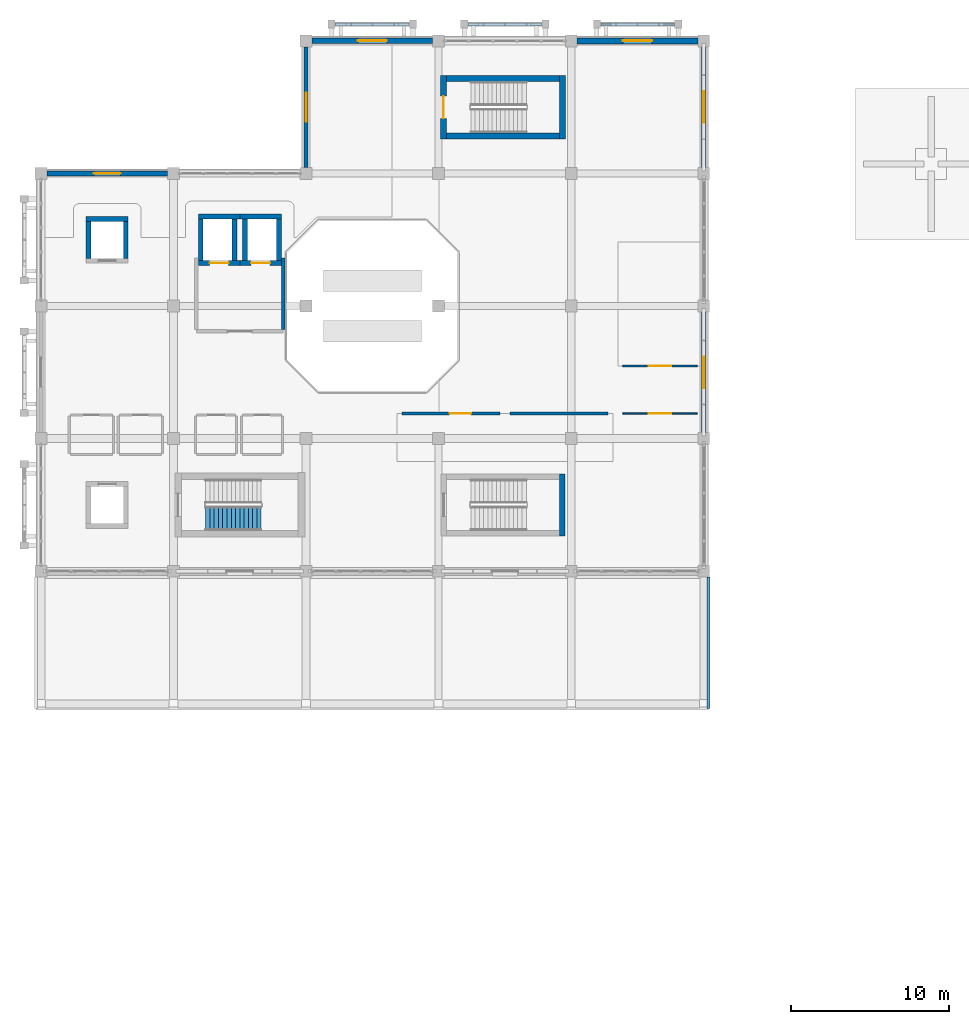
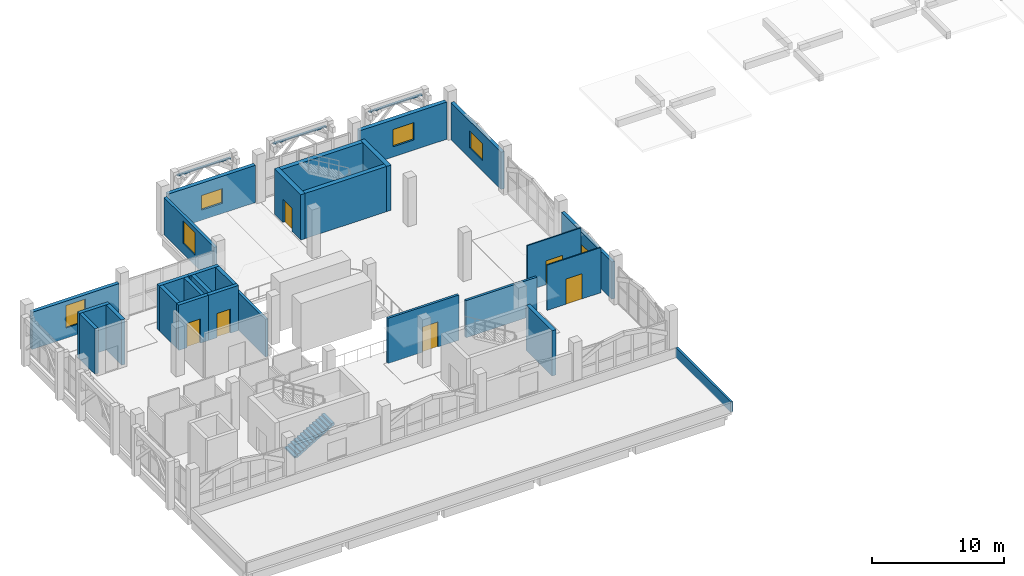
# One storey, part 24 of 30: 31 walls, 6 doors, 6 windows, 1 stair flight, 12 openings, 1 element without a shape of its own.
"""IFC4 building model written with IfcOpenShell, lengths in metres."""

from ifc_helpers import new_model, si_unit, direction, frame, frame_2d, origin, place, context, subcontext, project, spatial, polyline, rectangle, outline, extrude, material, layer, layer_set, type_object, element, fill, aggregate, save


model = new_model("IFC4")

# Units and contexts
model_context = context("Model", 3, precision=1e-05, world=origin(), true_north=direction((0.0, 1.0)))
body_context = subcontext(model_context, "Body", "Model", "MODEL_VIEW")
ifc_project = project(units=[si_unit("LENGTHUNIT", "METRE"), si_unit("AREAUNIT", "SQUARE_METRE"), si_unit("VOLUMEUNIT", "CUBIC_METRE"), si_unit("PLANEANGLEUNIT", "RADIAN"), si_unit("MASSUNIT", "GRAM", prefix="KILO")], contexts=[model_context])

# Site, building, storey
site_placement = place(None, origin())
site = spatial("IfcSite", under=ifc_project, at=site_placement, CompositionType="ELEMENT")
building_placement = place(site_placement, origin())
building = spatial("IfcBuilding", under=site, at=building_placement, Name="Xazarin Passage Department Store", CompositionType="ELEMENT")
storey_placement = place(building_placement, frame((0.0, 0.0, 23.39990234375)))
storey = spatial("IfcBuildingStorey", under=building, at=storey_placement, Name="L05", CompositionType="ELEMENT", Elevation=23.39990234375)

# Wall, opening, window
ifc_material_1 = material(Name="Precast concrete C40/50", Category="concrete")
ifc_layer_1 = layer(ifc_material_1, 0.260009765625)
ifc_layer_set_1 = layer_set([ifc_layer_1], Name="Precast concrete C40/50")
wall_type_1 = type_object("IfcWallType", Name="ARC-W-EXT260", PredefinedType="SOLIDWALL", material=ifc_layer_set_1)
wall_1_placement = place(storey_placement, frame((16.800048828125, 101.97509765625, 0.0), z_axis=(0.0, 0.0, 1.0), x_axis=(0.0, 1.0, 0.0)))
wall_1 = element("IfcWall", 1, at=wall_1_placement, inside=storey, type_object=wall_type_1, Name="L05 V1 Exterior Wall 066", PredefinedType="SOLIDWALL", context=body_context, shape_type="SweptSolid", body=[
    extrude(rectangle(XDim=7.64990234375, YDim=0.260009765625, at=frame_2d((3.824951171875, 0.0))), origin(), (0.0, 0.0, 1.0), 3.4501953125),
])
opening_1_placement = place(wall_1_placement, frame((2.89990234375, 0.0, 0.949951171875)))
opening_1 = element("IfcOpeningElement", 2, at=opening_1_placement, cuts=wall_1, Name="Opening W28", PredefinedType="OPENING", context=body_context, shape_type="SweptSolid", body=[
    extrude(rectangle(XDim=1.85009765625, YDim=2.10009765625, at=frame_2d((0.925048828125, 1.050048828125))), frame((0.0, 0.139892578125, 0.0), z_axis=(0.0, -1.0, 0.0), x_axis=(1.0, 0.0, 0.0)), (0.0, 0.0, 1.0), 0.280029296875),
])
ifc_material_2 = material(Name="Low-E laminated safety glass", Category="glass")
window_type_1 = type_object("IfcWindowType", Name="ARC-WIN-W28", PartitioningType="DOUBLE_PANEL_VERTICAL", PredefinedType="WINDOW", material=ifc_material_2)
window_1_placement = place(opening_1_placement, origin())
window_1 = element("IfcWindow", 3, at=window_1_placement, inside=storey, type_object=window_type_1, Name="L05 V1 Facade Window 0028", OverallHeight=2.10009765625, OverallWidth=1.85009765625, PartitioningType="DOUBLE_PANEL_VERTICAL", PredefinedType="WINDOW", context=body_context, shape_type="SweptSolid", body=[
    extrude(rectangle(XDim=1.85009765625, YDim=2.10009765625, at=frame_2d((0.925048828125, 1.050048828125))), frame((0.0, 0.030029296875, 0.0), z_axis=(0.0, -1.0, 0.0), x_axis=(1.0, 0.0, 0.0)), (0.0, 0.0, 1.0), 0.06005859375),
])
fill(opening_1, window_1)

ifc_layer_2 = layer(ifc_material_1, 0.280029296875)
ifc_layer_set_2 = layer_set([ifc_layer_2], Name="Precast concrete C40/50")
wall_type_2 = type_object("IfcWallType", Name="ARC-W-EXT280", PredefinedType="SOLIDWALL", material=ifc_layer_set_2)
wall_2_placement = place(storey_placement, frame((42.0, 85.175048828125, 0.0), z_axis=(0.0, 0.0, 1.0), x_axis=(0.0, 1.0, 0.0)))
wall_2 = element("IfcWall", 4, at=wall_2_placement, inside=storey, type_object=wall_type_2, Name="L05 V1 Exterior Wall 067", PredefinedType="SOLIDWALL", context=body_context, shape_type="SweptSolid", body=[
    extrude(rectangle(XDim=7.64990234375, YDim=0.280029296875, at=frame_2d((3.824951171875, 0.0))), origin(), (0.0, 0.0, 1.0), 3.4501953125),
])
opening_2_placement = place(wall_2_placement, frame((2.824951171875, 0.0, 0.949951171875)))
opening_2 = element("IfcOpeningElement", 5, at=opening_2_placement, cuts=wall_2, Name="Opening W29", PredefinedType="OPENING", context=body_context, shape_type="SweptSolid", body=[
    extrude(rectangle(XDim=2.0, YDim=1.35009765625, at=frame_2d((1.0, 0.675048828125))), frame((0.0, 0.14990234375, 0.0), z_axis=(0.0, -1.0, 0.0), x_axis=(1.0, 0.0, 0.0)), (0.0, 0.0, 1.0), 0.300048828125),
])
window_type_2 = type_object("IfcWindowType", Name="ARC-WIN-W29", PartitioningType="DOUBLE_PANEL_VERTICAL", PredefinedType="WINDOW", material=ifc_material_2)
window_2_placement = place(opening_2_placement, origin())
window_2 = element("IfcWindow", 6, at=window_2_placement, inside=storey, type_object=window_type_2, Name="L05 V1 Facade Window 0029", OverallHeight=1.35009765625, OverallWidth=2.0, PartitioningType="DOUBLE_PANEL_VERTICAL", PredefinedType="WINDOW", context=body_context, shape_type="SweptSolid", body=[
    extrude(rectangle(XDim=2.0, YDim=1.35009765625, at=frame_2d((1.0, 0.675048828125))), frame((0.0, 0.030029296875, 0.0), z_axis=(0.0, -1.0, 0.0), x_axis=(1.0, 0.0, 0.0)), (0.0, 0.0, 1.0), 0.06005859375),
])
fill(opening_2, window_2)

ifc_layer_3 = layer(ifc_material_1, 0.300048828125)
ifc_layer_set_3 = layer_set([ifc_layer_3], Name="Precast concrete C40/50")
wall_type_3 = type_object("IfcWallType", Name="ARC-W-EXT300", PredefinedType="SOLIDWALL", material=ifc_layer_set_3)
wall_3_placement = place(storey_placement, frame((42.0, 101.97509765625, 0.0), z_axis=(0.0, 0.0, 1.0), x_axis=(0.0, 1.0, 0.0)))
wall_3 = element("IfcWall", 7, at=wall_3_placement, inside=storey, type_object=wall_type_3, Name="L05 V1 Exterior Wall 068", PredefinedType="SOLIDWALL", context=body_context, shape_type="SweptSolid", body=[
    extrude(rectangle(XDim=7.64990234375, YDim=0.300048828125, at=frame_2d((3.824951171875, 0.0))), origin(), (0.0, 0.0, 1.0), 3.4501953125),
])
opening_3_placement = place(wall_3_placement, frame((2.824951171875, 0.0, 0.949951171875)))
opening_3 = element("IfcOpeningElement", 8, at=opening_3_placement, cuts=wall_3, Name="Opening W30", PredefinedType="OPENING", context=body_context, shape_type="SweptSolid", body=[
    extrude(rectangle(XDim=2.0, YDim=1.60009765625, at=frame_2d((1.0, 0.800048828125))), frame((0.0, 0.159912109375, 0.0), z_axis=(0.0, -1.0, 0.0), x_axis=(1.0, 0.0, 0.0)), (0.0, 0.0, 1.0), 0.320068359375),
])
window_type_3 = type_object("IfcWindowType", Name="ARC-WIN-W30", PartitioningType="DOUBLE_PANEL_VERTICAL", PredefinedType="WINDOW", material=ifc_material_2)
window_3_placement = place(opening_3_placement, origin())
window_3 = element("IfcWindow", 9, at=window_3_placement, inside=storey, type_object=window_type_3, Name="L05 V1 Facade Window 0030", OverallHeight=1.60009765625, OverallWidth=2.0, PartitioningType="DOUBLE_PANEL_VERTICAL", PredefinedType="WINDOW", context=body_context, shape_type="SweptSolid", body=[
    extrude(rectangle(XDim=2.0, YDim=1.60009765625, at=frame_2d((1.0, 0.800048828125))), frame((0.0, 0.030029296875, 0.0), z_axis=(0.0, -1.0, 0.0), x_axis=(1.0, 0.0, 0.0)), (0.0, 0.0, 1.0), 0.06005859375),
])
fill(opening_3, window_3)

ifc_material_3 = material(Name="Buff Baku clay brick", Category="masonry")
ifc_layer_4 = layer(ifc_material_3, 0.320068359375)
ifc_layer_set_4 = layer_set([ifc_layer_4], Name="Buff Baku clay brick")
wall_type_4 = type_object("IfcWallType", Name="ARC-W-EXT320", PredefinedType="SOLIDWALL", material=ifc_layer_set_4)
wall_4_placement = place(storey_placement, frame((0.375, 101.60009765625, 0.0), z_axis=(0.0, 0.0, 1.0), x_axis=(1.0, 0.0, 0.0)))
wall_4 = element("IfcWall", 10, at=wall_4_placement, inside=storey, type_object=wall_type_4, Name="L05 V1 Exterior Wall 062", PredefinedType="SOLIDWALL", context=body_context, shape_type="SweptSolid", body=[
    extrude(rectangle(XDim=7.64990234375, YDim=0.320068359375, at=frame_2d((3.824951171875, 0.0))), origin(), (0.0, 0.0, 1.0), 3.4501953125),
])
opening_4_placement = place(wall_4_placement, frame((2.97509765625, 0.0, 0.949951171875)))
opening_4 = element("IfcOpeningElement", 11, at=opening_4_placement, cuts=wall_4, Name="Opening W24", PredefinedType="OPENING", context=body_context, shape_type="SweptSolid", body=[
    extrude(rectangle(XDim=1.699951171875, YDim=2.10009765625, at=frame_2d((0.85009765625, 1.050048828125))), frame((0.0, 0.169921875, 0.0), z_axis=(0.0, -1.0, 0.0), x_axis=(1.0, 0.0, 0.0)), (0.0, 0.0, 1.0), 0.340087890625),
])
window_type_4 = type_object("IfcWindowType", Name="ARC-WIN-W24", PartitioningType="DOUBLE_PANEL_VERTICAL", PredefinedType="WINDOW", material=ifc_material_2)
window_4_placement = place(opening_4_placement, origin())
window_4 = element("IfcWindow", 12, at=window_4_placement, inside=storey, type_object=window_type_4, Name="L05 V1 Facade Window 0024", OverallHeight=2.10009765625, OverallWidth=1.699951171875, PartitioningType="DOUBLE_PANEL_VERTICAL", PredefinedType="WINDOW", context=body_context, shape_type="SweptSolid", body=[
    extrude(rectangle(XDim=1.699951171875, YDim=2.10009765625, at=frame_2d((0.85009765625, 1.050048828125))), frame((0.0, 0.030029296875, 0.0), z_axis=(0.0, -1.0, 0.0), x_axis=(1.0, 0.0, 0.0)), (0.0, 0.0, 1.0), 0.06005859375),
])
fill(opening_4, window_4)

ifc_material_4 = material(Name="Absheron limestone cladding", Category="masonry")
ifc_layer_5 = layer(ifc_material_4, 0.340087890625)
ifc_layer_set_5 = layer_set([ifc_layer_5], Name="Absheron limestone cladding")
wall_type_5 = type_object("IfcWallType", Name="ARC-W-EXT340", PredefinedType="SOLIDWALL", material=ifc_layer_set_5)
wall_5_placement = place(storey_placement, frame((17.175048828125, 110.0, 0.0), z_axis=(0.0, 0.0, 1.0), x_axis=(1.0, 0.0, 0.0)))
wall_5 = element("IfcWall", 13, at=wall_5_placement, inside=storey, type_object=wall_type_5, Name="L05 V1 Exterior Wall 063", PredefinedType="SOLIDWALL", context=body_context, shape_type="SweptSolid", body=[
    extrude(rectangle(XDim=7.64990234375, YDim=0.340087890625, at=frame_2d((3.824951171875, 0.0))), origin(), (0.0, 0.0, 1.0), 3.4501953125),
])
opening_5_placement = place(wall_5_placement, frame((2.89990234375, 0.0, 0.949951171875)))
opening_5 = element("IfcOpeningElement", 14, at=opening_5_placement, cuts=wall_5, Name="Opening W25", PredefinedType="OPENING", context=body_context, shape_type="SweptSolid", body=[
    extrude(rectangle(XDim=1.85009765625, YDim=1.35009765625, at=frame_2d((0.925048828125, 0.675048828125))), frame((0.0, 0.179931640625, 0.0), z_axis=(0.0, -1.0, 0.0), x_axis=(1.0, 0.0, 0.0)), (0.0, 0.0, 1.0), 0.360107421875),
])
window_type_5 = type_object("IfcWindowType", Name="ARC-WIN-W25", PartitioningType="DOUBLE_PANEL_VERTICAL", PredefinedType="WINDOW", material=ifc_material_2)
window_5_placement = place(opening_5_placement, origin())
window_5 = element("IfcWindow", 15, at=window_5_placement, inside=storey, type_object=window_type_5, Name="L05 V1 Facade Window 0025", OverallHeight=1.35009765625, OverallWidth=1.85009765625, PartitioningType="DOUBLE_PANEL_VERTICAL", PredefinedType="WINDOW", context=body_context, shape_type="SweptSolid", body=[
    extrude(rectangle(XDim=1.85009765625, YDim=1.35009765625, at=frame_2d((0.925048828125, 0.675048828125))), frame((0.0, 0.030029296875, 0.0), z_axis=(0.0, -1.0, 0.0), x_axis=(1.0, 0.0, 0.0)), (0.0, 0.0, 1.0), 0.06005859375),
])
fill(opening_5, window_5)

ifc_layer_6 = layer(ifc_material_4, 0.360107421875)
ifc_layer_set_6 = layer_set([ifc_layer_6], Name="Absheron limestone cladding")
wall_type_6 = type_object("IfcWallType", Name="ARC-W-EXT360", PredefinedType="SOLIDWALL", material=ifc_layer_set_6)
wall_6_placement = place(storey_placement, frame((33.97509765625, 110.0, 0.0), z_axis=(0.0, 0.0, 1.0), x_axis=(1.0, 0.0, 0.0)))
wall_6 = element("IfcWall", 16, at=wall_6_placement, inside=storey, type_object=wall_type_6, Name="L05 V1 Exterior Wall 064", PredefinedType="SOLIDWALL", context=body_context, shape_type="SweptSolid", body=[
    extrude(rectangle(XDim=7.64990234375, YDim=0.360107421875, at=frame_2d((3.824951171875, 0.0))), origin(), (0.0, 0.0, 1.0), 3.4501953125),
])
opening_6_placement = place(wall_6_placement, frame((2.89990234375, 0.0, 0.949951171875)))
opening_6 = element("IfcOpeningElement", 17, at=opening_6_placement, cuts=wall_6, Name="Opening W26", PredefinedType="OPENING", context=body_context, shape_type="SweptSolid", body=[
    extrude(rectangle(XDim=1.85009765625, YDim=1.60009765625, at=frame_2d((0.925048828125, 0.800048828125))), frame((0.0, 0.18994140625, 0.0), z_axis=(0.0, -1.0, 0.0), x_axis=(1.0, 0.0, 0.0)), (0.0, 0.0, 1.0), 0.380126953125),
])
window_type_6 = type_object("IfcWindowType", Name="ARC-WIN-W26", PartitioningType="DOUBLE_PANEL_VERTICAL", PredefinedType="WINDOW", material=ifc_material_2)
window_6_placement = place(opening_6_placement, origin())
window_6 = element("IfcWindow", 18, at=window_6_placement, inside=storey, type_object=window_type_6, Name="L05 V1 Facade Window 0026", OverallHeight=1.60009765625, OverallWidth=1.85009765625, PartitioningType="DOUBLE_PANEL_VERTICAL", PredefinedType="WINDOW", context=body_context, shape_type="SweptSolid", body=[
    extrude(rectangle(XDim=1.85009765625, YDim=1.60009765625, at=frame_2d((0.925048828125, 0.800048828125))), frame((0.0, 0.030029296875, 0.0), z_axis=(0.0, -1.0, 0.0), x_axis=(1.0, 0.0, 0.0)), (0.0, 0.0, 1.0), 0.06005859375),
])
fill(opening_6, window_6)

# Wall, opening, door
ifc_layer_7 = layer(ifc_material_3, 0.205078125)
ifc_layer_set_7 = layer_set([ifc_layer_7], Name="Buff Baku clay brick")
wall_type_7 = type_object("IfcWallType", Name="ARC-W-FIR205", PredefinedType="PARTITIONING", material=ifc_layer_set_7)
wall_7_placement = place(storey_placement, frame((22.8701171875, 86.39990234375, 0.0), z_axis=(0.0, 0.0, 1.0), x_axis=(1.0, 0.0, 0.0)))
wall_7 = element("IfcWall", 19, at=wall_7_placement, inside=storey, type_object=wall_type_7, Name="L05 Bookshop and Stationery Front Wall 0268", PredefinedType="PARTITIONING", context=body_context, shape_type="SweptSolid", body=[
    extrude(rectangle(XDim=6.2099609375, YDim=0.205078125, at=frame_2d((3.10498046875, 0.0))), origin(), (0.0, 0.0, 1.0), 4.2001953125),
])
opening_7_placement = place(wall_7_placement, frame((3.02490234375, 0.0, 0.0)))
opening_7 = element("IfcOpeningElement", 20, at=opening_7_placement, cuts=wall_7, Name="Opening ID33", PredefinedType="OPENING", context=body_context, shape_type="SweptSolid", body=[
    extrude(rectangle(XDim=1.360107421875, YDim=2.340087890625, at=frame_2d((0.68017578125, 1.169921875))), frame((0.0, 0.112548828125, 0.0), z_axis=(0.0, -1.0, 0.0), x_axis=(1.0, 0.0, 0.0)), (0.0, 0.0, 1.0), 0.22509765625),
])
ifc_material_5 = material(Name="Timber acoustic leaf", Category="wood")
door_type_1 = type_object("IfcDoorType", Name="ARC-DR-ID33", OperationType="NOTDEFINED", PredefinedType="DOOR", material=ifc_material_5)
door_1_placement = place(opening_7_placement, origin())
door_1 = element("IfcDoor", 21, at=door_1_placement, inside=storey, type_object=door_type_1, Name="DR-INT-L05-0268", OperationType="SINGLE_SWING_RIGHT", OverallHeight=2.340087890625, OverallWidth=1.360107421875, PredefinedType="DOOR", context=body_context, shape_type="SweptSolid", body=[
    extrude(rectangle(XDim=1.360107421875, YDim=2.340087890625, at=frame_2d((0.68017578125, 1.169921875))), frame((0.0, 0.02490234375, 0.0), z_axis=(0.0, -1.0, 0.0), x_axis=(1.0, 0.0, 0.0)), (0.0, 0.0, 1.0), 0.050048828125),
])
fill(opening_7, door_1)

# Walls
wall_8_placement = place(storey_placement, frame((29.719970703125, 86.39990234375, 0.0), z_axis=(0.0, 0.0, 1.0), x_axis=(1.0, 0.0, 0.0)))
element("IfcWall", 22, at=wall_8_placement, inside=storey, type_object=wall_type_7, Name="L05 Bookshop and Stationery Front Wall 0269", PredefinedType="PARTITIONING", context=body_context, shape_type="SweptSolid", body=[
    extrude(rectangle(XDim=6.2099609375, YDim=0.205078125, at=frame_2d((3.10498046875, 0.0))), origin(), (0.0, 0.0, 1.0), 3.4501953125),
])
ifc_material_6 = material(Name="Concrete C35/45", Category="concrete")
ifc_layer_8 = layer(ifc_material_6, 0.22509765625)
ifc_layer_set_8 = layer_set([ifc_layer_8], Name="Concrete C35/45")
wall_type_8 = type_object("IfcWallType", Name="ARC-W-FIR225", PredefinedType="PARTITIONING", material=ifc_layer_set_8)
wall_9_placement = place(storey_placement, frame((15.35009765625, 91.7099609375, 0.0), z_axis=(0.0, 0.0, 1.0), x_axis=(0.0, 1.0, 0.0)))
element("IfcWall", 23, at=wall_9_placement, inside=storey, type_object=wall_type_8, Name="L05 Firefighting Lift Lobby East Wall 0021", PredefinedType="PARTITIONING", context=body_context, shape_type="SweptSolid", body=[
    extrude(rectangle(XDim=4.530029296875, YDim=0.22509765625, at=frame_2d((2.26513671875, 0.0))), origin(), (0.0, 0.0, 1.0), 3.5),
])
ifc_layer_9 = layer(ifc_material_1, 0.18994140625)
ifc_layer_set_9 = layer_set([ifc_layer_9], Name="Precast concrete C40/50")
wall_type_9 = type_object("IfcWallType", Name="ARC-W-PAR190", PredefinedType="PARAPET", material=ifc_layer_set_9)
wall_10_placement = place(storey_placement, frame((18.669921875, 111.050048828125, 3.880126953125), z_axis=(0.0, 0.0, 1.0), x_axis=(1.0, 0.0, 0.0)))
element("IfcWall", 24, at=wall_10_placement, inside=storey, type_object=wall_type_9, Name="L05 V1 Pierced-Arch Spandrel Lintel 0006", PredefinedType="PARAPET", context=body_context, shape_type="SweptSolid", body=[
    extrude(rectangle(XDim=4.66015625, YDim=0.18994140625, at=frame_2d((2.330078125, 0.0))), origin(), (0.0, 0.0, 1.0), 0.119873046875),
])
for number, where, z_axis, x_axis, name in (
    (25, (27.070068359375, 111.050048828125, 3.880126953125), (0.0, 0.0, 1.0), (1.0, 0.0, 0.0), "L05 V1 Pierced-Arch Spandrel Lintel 0014"),
    (26, (35.469970703125, 111.050048828125, 3.880126953125), (0.0, 0.0, 1.0), (1.0, 0.0, 0.0), "L05 V1 Pierced-Arch Spandrel Lintel 0022"),
):
    element("IfcWall", number, at=place(storey_placement, frame(where, z_axis=z_axis, x_axis=x_axis)), inside=storey, type_object=wall_type_9, Name=name, PredefinedType="PARAPET", context=body_context, shape_type="SweptSolid", body=[
        extrude(rectangle(XDim=4.659912109375, YDim=0.18994140625, at=frame_2d((2.330078125, 0.0))), origin(), (0.0, 0.0, 1.0), 0.119873046875),
    ])
wall_11_placement = place(storey_placement, frame((42.300048828125, 67.699951171875, 0.0), z_axis=(0.0, 0.0, 1.0), x_axis=(0.0, 1.0, 0.0)))
element("IfcWall", 27, at=wall_11_placement, inside=storey, type_object=wall_type_9, Name="L05 Roof Parapet 028", PredefinedType="PARAPET", context=body_context, shape_type="SweptSolid", body=[
    extrude(rectangle(XDim=8.35009765625, YDim=0.18994140625, at=frame_2d((4.175048828125, 0.0))), origin(), (0.0, 0.0, 1.0), 0.9501953125),
])

# Wall, opening, door
ifc_material_7 = material(Name="Gypsum board acoustic partition")
ifc_layer_10 = layer(ifc_material_7, 0.094970703125)
ifc_layer_set_10 = layer_set([ifc_layer_10], Name="Gypsum board acoustic partition")
wall_type_10 = type_object("IfcWallType", Name="ARC-W-PRT095", PredefinedType="PARTITIONING", material=ifc_layer_set_10)
wall_12_placement = place(storey_placement, frame((36.8701171875, 86.39990234375, 0.0), z_axis=(0.0, 0.0, 1.0), x_axis=(1.0, 0.0, 0.0)))
wall_12 = element("IfcWall", 28, at=wall_12_placement, inside=storey, type_object=wall_type_10, Name="L05 Smart Home Gallery Front Wall 0271", PredefinedType="PARTITIONING", context=body_context, shape_type="SweptSolid", body=[
    extrude(rectangle(XDim=4.7099609375, YDim=0.094970703125, at=frame_2d((2.35498046875, 0.0))), origin(), (0.0, 0.0, 1.0), 4.2001953125),
])
opening_8_placement = place(wall_12_placement, frame((1.635009765625, 0.0, 0.0)))
opening_8 = element("IfcOpeningElement", 29, at=opening_8_placement, cuts=wall_12, Name="Opening ID37", PredefinedType="OPENING", context=body_context, shape_type="SweptSolid", body=[
    extrude(rectangle(XDim=1.43994140625, YDim=2.340087890625, at=frame_2d((0.719970703125, 1.169921875))), frame((0.0, 0.057373046875, 0.0), z_axis=(0.0, -1.0, 0.0), x_axis=(1.0, 0.0, 0.0)), (0.0, 0.0, 1.0), 0.114990234375),
])
ifc_material_8 = material(Name="Bronze anodised aluminium", Category="aluminium")
door_type_2 = type_object("IfcDoorType", Name="ARC-DR-ID37", OperationType="NOTDEFINED", PredefinedType="DOOR", material=ifc_material_8)
door_2_placement = place(opening_8_placement, origin())
door_2 = element("IfcDoor", 30, at=door_2_placement, inside=storey, type_object=door_type_2, Name="DR-INT-L05-0271", OperationType="SINGLE_SWING_RIGHT", OverallHeight=2.340087890625, OverallWidth=1.43994140625, PredefinedType="DOOR", context=body_context, shape_type="SweptSolid", body=[
    extrude(rectangle(XDim=1.43994140625, YDim=2.340087890625, at=frame_2d((0.719970703125, 1.169921875))), frame((0.0, 0.02490234375, 0.0), z_axis=(0.0, -1.0, 0.0), x_axis=(1.0, 0.0, 0.0)), (0.0, 0.0, 1.0), 0.050048828125),
])
fill(opening_8, door_2)

ifc_layer_11 = layer(ifc_material_7, 0.110107421875)
ifc_layer_set_11 = layer_set([ifc_layer_11], Name="Gypsum board acoustic partition")
wall_type_11 = type_object("IfcWallType", Name="ARC-W-PRT110", PredefinedType="PARTITIONING", material=ifc_layer_set_11)
wall_13_placement = place(storey_placement, frame((36.8701171875, 89.39990234375, 0.0), z_axis=(0.0, 0.0, 1.0), x_axis=(1.0, 0.0, 0.0)))
wall_13 = element("IfcWall", 31, at=wall_13_placement, inside=storey, type_object=wall_type_11, Name="L05 Smart Home Gallery Front Wall 0270", PredefinedType="PARTITIONING", context=body_context, shape_type="SweptSolid", body=[
    extrude(rectangle(XDim=4.7099609375, YDim=0.110107421875, at=frame_2d((2.35498046875, 0.0))), origin(), (0.0, 0.0, 1.0), 4.2001953125),
])
opening_9_placement = place(wall_13_placement, frame((1.635009765625, 0.0, 0.0)))
opening_9 = element("IfcOpeningElement", 32, at=opening_9_placement, cuts=wall_13, Name="Opening ID36", PredefinedType="OPENING", context=body_context, shape_type="SweptSolid", body=[
    extrude(rectangle(XDim=1.43994140625, YDim=2.219970703125, at=frame_2d((0.719970703125, 1.10986328125))), frame((0.0, 0.06494140625, 0.0), z_axis=(0.0, -1.0, 0.0), x_axis=(1.0, 0.0, 0.0)), (0.0, 0.0, 1.0), 0.130126953125),
])
door_type_3 = type_object("IfcDoorType", Name="ARC-DR-ID36", OperationType="NOTDEFINED", PredefinedType="DOOR", material=ifc_material_8)
door_3_placement = place(opening_9_placement, origin())
door_3 = element("IfcDoor", 33, at=door_3_placement, inside=storey, type_object=door_type_3, Name="DR-INT-L05-0270", OperationType="SINGLE_SWING_LEFT", OverallHeight=2.219970703125, OverallWidth=1.43994140625, PredefinedType="DOOR", context=body_context, shape_type="SweptSolid", body=[
    extrude(rectangle(XDim=1.43994140625, YDim=2.219970703125, at=frame_2d((0.719970703125, 1.10986328125))), frame((0.0, 0.02490234375, 0.0), z_axis=(0.0, -1.0, 0.0), x_axis=(1.0, 0.0, 0.0)), (0.0, 0.0, 1.0), 0.050048828125),
])
fill(opening_9, door_3)

ifc_material_9 = material(Name="Concrete C40/50", Category="concrete")
ifc_layer_12 = layer(ifc_material_9, 0.31005859375)
ifc_layer_set_12 = layer_set([ifc_layer_12], Name="Concrete C40/50")
wall_type_12 = type_object("IfcWallType", Name="STR-W-LFT310", PredefinedType="SHEAR", material=ifc_layer_set_12)
wall_14_placement = place(storey_placement, frame((9.969970703125, 95.925048828125, 0.0), z_axis=(0.0, 0.0, 1.0), x_axis=(1.0, 0.0, 0.0)))
wall_14 = element("IfcWall", 34, at=wall_14_placement, inside=storey, type_object=wall_type_12, Name="L05 Lift FL1 Shaft Wall South", PredefinedType="SHEAR", context=body_context, shape_type="SweptSolid", body=[
    extrude(rectangle(XDim=2.630126953125, YDim=0.31005859375, at=frame_2d((1.31494140625, 0.0))), origin(), (0.0, 0.0, 1.0), 4.2001953125),
])
opening_10_placement = place(wall_14_placement, frame((0.715087890625, 0.0, 0.0)))
opening_10 = element("IfcOpeningElement", 35, at=opening_10_placement, cuts=wall_14, Name="Opening LD-FL1-L05", PredefinedType="OPENING", context=body_context, shape_type="SweptSolid", body=[
    extrude(rectangle(XDim=1.199951171875, YDim=2.25, at=frame_2d((0.60009765625, 1.125))), frame((0.0, 0.1650390625, 0.0), z_axis=(0.0, -1.0, 0.0), x_axis=(1.0, 0.0, 0.0)), (0.0, 0.0, 1.0), 0.330078125),
])
ifc_material_10 = material(Name="Steel S355", Category="steel")
door_type_4 = type_object("IfcDoorType", Name="ARC-DR-LD120", OperationType="NOTDEFINED", PredefinedType="DOOR", material=ifc_material_10)
door_4_placement = place(opening_10_placement, origin())
door_4 = element("IfcDoor", 36, at=door_4_placement, inside=storey, type_object=door_type_4, Name="DR-LD-FL1-L05", OperationType="SLIDING_TO_LEFT", OverallHeight=2.25, OverallWidth=1.199951171875, PredefinedType="DOOR", context=body_context, shape_type="SweptSolid", body=[
    extrude(rectangle(XDim=1.199951171875, YDim=2.25, at=frame_2d((0.60009765625, 1.125))), frame((0.0, 0.02490234375, 0.0), z_axis=(0.0, -1.0, 0.0), x_axis=(1.0, 0.0, 0.0)), (0.0, 0.0, 1.0), 0.050048828125),
])
fill(opening_10, door_4)

# Walls
wall_15_placement = place(storey_placement, frame((9.969970703125, 98.875, 0.0), z_axis=(0.0, 0.0, 1.0), x_axis=(1.0, 0.0, 0.0)))
element("IfcWall", 37, at=wall_15_placement, inside=storey, type_object=wall_type_12, Name="L05 Lift FL1 Shaft Wall North", PredefinedType="SHEAR", context=body_context, shape_type="SweptSolid", body=[
    extrude(rectangle(XDim=2.630126953125, YDim=0.31005859375, at=frame_2d((1.31494140625, 0.0))), origin(), (0.0, 0.0, 1.0), 4.2001953125),
])
for number, where, z_axis, x_axis, name in (
    (38, (10.125, 96.080078125, 0.0), (0.0, 0.0, 1.0), (0.0, 1.0, 0.0), "L05 Lift FL1 Shaft Wall West"),
    (39, (12.27490234375, 96.080078125, 0.0), (0.0, 0.0, 1.0), (0.0, 1.0, 0.0), "L05 Lift FL1 Shaft Wall East"),
):
    element("IfcWall", number, at=place(storey_placement, frame(where, z_axis=z_axis, x_axis=x_axis)), inside=storey, type_object=wall_type_12, Name=name, PredefinedType="SHEAR", context=body_context, shape_type="SweptSolid", body=[
        extrude(rectangle(XDim=2.639892578125, YDim=0.31005859375, at=frame_2d((1.31982421875, 0.0))), origin(), (0.0, 0.0, 1.0), 4.2001953125),
    ])

# Wall, opening, door
wall_16_placement = place(storey_placement, frame((12.60009765625, 95.925048828125, 0.0), z_axis=(0.0, 0.0, 1.0), x_axis=(1.0, 0.0, 0.0)))
wall_16 = element("IfcWall", 40, at=wall_16_placement, inside=storey, type_object=wall_type_12, Name="L05 Lift FL2 Shaft Wall South", PredefinedType="SHEAR", context=body_context, shape_type="SweptSolid", body=[
    extrude(rectangle(XDim=2.6298828125, YDim=0.31005859375, at=frame_2d((1.31494140625, 0.0))), origin(), (0.0, 0.0, 1.0), 4.2001953125),
])
opening_11_placement = place(wall_16_placement, frame((0.715087890625, 0.0, 0.0)))
opening_11 = element("IfcOpeningElement", 41, at=opening_11_placement, cuts=wall_16, Name="Opening LD-FL2-L05", PredefinedType="OPENING", context=body_context, shape_type="SweptSolid", body=[
    extrude(rectangle(XDim=1.199951171875, YDim=2.25, at=frame_2d((0.60009765625, 1.125))), frame((0.0, 0.1650390625, 0.0), z_axis=(0.0, -1.0, 0.0), x_axis=(1.0, 0.0, 0.0)), (0.0, 0.0, 1.0), 0.330078125),
])
door_5_placement = place(opening_11_placement, origin())
door_5 = element("IfcDoor", 42, at=door_5_placement, inside=storey, type_object=door_type_4, Name="DR-LD-FL2-L05", OperationType="SLIDING_TO_LEFT", OverallHeight=2.25, OverallWidth=1.199951171875, PredefinedType="DOOR", context=body_context, shape_type="SweptSolid", body=[
    extrude(rectangle(XDim=1.199951171875, YDim=2.25, at=frame_2d((0.60009765625, 1.125))), frame((0.0, 0.02490234375, 0.0), z_axis=(0.0, -1.0, 0.0), x_axis=(1.0, 0.0, 0.0)), (0.0, 0.0, 1.0), 0.050048828125),
])
fill(opening_11, door_5)

# Walls
wall_17_placement = place(storey_placement, frame((12.60009765625, 98.875, 0.0), z_axis=(0.0, 0.0, 1.0), x_axis=(1.0, 0.0, 0.0)))
element("IfcWall", 43, at=wall_17_placement, inside=storey, type_object=wall_type_12, Name="L05 Lift FL2 Shaft Wall North", PredefinedType="SHEAR", context=body_context, shape_type="SweptSolid", body=[
    extrude(rectangle(XDim=2.6298828125, YDim=0.31005859375, at=frame_2d((1.31494140625, 0.0))), origin(), (0.0, 0.0, 1.0), 4.2001953125),
])
for number, where, z_axis, x_axis, name in (
    (44, (12.925048828125, 96.080078125, 0.0), (0.0, 0.0, 1.0), (0.0, 1.0, 0.0), "L05 Lift FL2 Shaft Wall West"),
    (45, (15.074951171875, 96.080078125, 0.0), (0.0, 0.0, 1.0), (0.0, 1.0, 0.0), "L05 Lift FL2 Shaft Wall East"),
):
    element("IfcWall", number, at=place(storey_placement, frame(where, z_axis=z_axis, x_axis=x_axis)), inside=storey, type_object=wall_type_12, Name=name, PredefinedType="SHEAR", context=body_context, shape_type="SweptSolid", body=[
        extrude(rectangle(XDim=2.639892578125, YDim=0.31005859375, at=frame_2d((1.31982421875, 0.0))), origin(), (0.0, 0.0, 1.0), 4.2001953125),
    ])
wall_18_placement = place(storey_placement, frame((2.8701171875, 98.72509765625, 0.0), z_axis=(0.0, 0.0, 1.0), x_axis=(1.0, 0.0, 0.0)))
element("IfcWall", 46, at=wall_18_placement, inside=storey, type_object=wall_type_12, Name="L05 Lift PL2 Shaft Wall North", PredefinedType="SHEAR", context=body_context, shape_type="SweptSolid", body=[
    extrude(rectangle(XDim=2.659912109375, YDim=0.31005859375, at=frame_2d((1.330078125, 0.0))), origin(), (0.0, 0.0, 1.0), 4.2001953125),
])
for number, where, z_axis, x_axis, name in (
    (47, (3.02490234375, 96.22998046875, 0.0), (0.0, 0.0, 1.0), (0.0, 1.0, 0.0), "L05 Lift PL2 Shaft Wall West"),
    (48, (5.375, 96.22998046875, 0.0), (0.0, 0.0, 1.0), (0.0, 1.0, 0.0), "L05 Lift PL2 Shaft Wall East"),
):
    element("IfcWall", number, at=place(storey_placement, frame(where, z_axis=z_axis, x_axis=x_axis)), inside=storey, type_object=wall_type_12, Name=name, PredefinedType="SHEAR", context=body_context, shape_type="SweptSolid", body=[
        extrude(rectangle(XDim=2.340087890625, YDim=0.31005859375, at=frame_2d((1.169921875, 0.0))), origin(), (0.0, 0.0, 1.0), 4.2001953125),
    ])
ifc_layer_13 = layer(ifc_material_9, 0.35009765625)
ifc_layer_set_13 = layer_set([ifc_layer_13], Name="Concrete C40/50")
wall_type_13 = type_object("IfcWallType", Name="STR-W-SHR350", PredefinedType="SHEAR", material=ifc_layer_set_13)
wall_19_placement = place(storey_placement, frame((33.02490234375, 78.6298828125, 0.0), z_axis=(0.0, 0.0, 1.0), x_axis=(0.0, 1.0, 0.0)))
element("IfcWall", 49, at=wall_19_placement, inside=storey, type_object=wall_type_13, Name="L05 Core K3 East Shear Wall", PredefinedType="SHEAR", context=body_context, shape_type="SweptSolid", body=[
    extrude(rectangle(XDim=3.940185546875, YDim=0.35009765625, at=frame_2d((1.97021484375, 0.0))), origin(), (0.0, 0.0, 1.0), 4.2001953125),
])

# Wall, opening, door
ifc_layer_14 = layer(ifc_material_9, 0.389892578125)
ifc_layer_set_14 = layer_set([ifc_layer_14], Name="Concrete C40/50")
wall_type_14 = type_object("IfcWallType", Name="STR-W-SHR390", PredefinedType="SHEAR", material=ifc_layer_set_14)
wall_20_placement = place(storey_placement, frame((25.5048828125, 107.81005859375, 0.0), z_axis=(0.0, 0.0, 1.0), x_axis=(0.0, -1.0, 0.0)))
wall_20 = element("IfcWall", 50, at=wall_20_placement, inside=storey, type_object=wall_type_14, Name="L05 Core K2 West Shear Wall", PredefinedType="SHEAR", context=body_context, shape_type="SweptSolid", body=[
    extrude(rectangle(XDim=4.02001953125, YDim=0.389892578125, at=frame_2d((2.010009765625, 0.0))), origin(), (0.0, 0.0, 1.0), 4.2001953125),
])
opening_12_placement = place(wall_20_placement, frame((1.31005859375, 0.0, 0.0)))
opening_12 = element("IfcOpeningElement", 51, at=opening_12_placement, cuts=wall_20, Name="Opening FD2", PredefinedType="OPENING", context=body_context, shape_type="SweptSolid", body=[
    extrude(rectangle(XDim=1.39990234375, YDim=2.14990234375, at=frame_2d((0.699951171875, 1.074951171875))), frame((0.0, 0.204833984375, 0.0), z_axis=(0.0, -1.0, 0.0), x_axis=(1.0, 0.0, 0.0)), (0.0, 0.0, 1.0), 0.409912109375),
])
door_type_5 = type_object("IfcDoorType", Name="ARC-DR-STR140", OperationType="NOTDEFINED", PredefinedType="DOOR", material=ifc_material_10)
door_6_placement = place(opening_12_placement, origin())
door_6 = element("IfcDoor", 52, at=door_6_placement, inside=storey, type_object=door_type_5, Name="DR-STR-K2-L05", OperationType="SINGLE_SWING_LEFT", OverallHeight=2.14990234375, OverallWidth=1.39990234375, PredefinedType="DOOR", context=body_context, shape_type="SweptSolid", body=[
    extrude(rectangle(XDim=1.39990234375, YDim=2.14990234375, at=frame_2d((0.699951171875, 1.074951171875))), frame((0.0, 0.02490234375, 0.0), z_axis=(0.0, -1.0, 0.0), x_axis=(1.0, 0.0, 0.0)), (0.0, 0.0, 1.0), 0.050048828125),
])
fill(opening_12, door_6)

# Walls
wall_21_placement = place(storey_placement, frame((33.044921875, 103.7900390625, 0.0), z_axis=(0.0, 0.0, 1.0), x_axis=(0.0, 1.0, 0.0)))
element("IfcWall", 53, at=wall_21_placement, inside=storey, type_object=wall_type_14, Name="L05 Core K2 East Shear Wall", PredefinedType="SHEAR", context=body_context, shape_type="SweptSolid", body=[
    extrude(rectangle(XDim=4.02001953125, YDim=0.389892578125, at=frame_2d((2.010009765625, 0.0))), origin(), (0.0, 0.0, 1.0), 4.2001953125),
])
for number, where, z_axis, x_axis, name in (
    (54, (25.699951171875, 103.985107421875, 0.0), (0.0, 0.0, 1.0), (1.0, 0.0, 0.0), "L05 Core K2 South Shear Wall"),
    (55, (25.699951171875, 107.614990234375, 0.0), (0.0, 0.0, 1.0), (1.0, 0.0, 0.0), "L05 Core K2 North Shear Wall"),
):
    element("IfcWall", number, at=place(storey_placement, frame(where, z_axis=z_axis, x_axis=x_axis)), inside=storey, type_object=wall_type_14, Name=name, PredefinedType="SHEAR", context=body_context, shape_type="SweptSolid", body=[
        extrude(rectangle(XDim=7.150146484375, YDim=0.389892578125, at=frame_2d((3.5751953125, 0.0))), origin(), (0.0, 0.0, 1.0), 4.2001953125),
    ])

# Stair, stair flight
stair_type = type_object("IfcStairType", Name="ARC-ST-TYP", PredefinedType="HALF_TURN_STAIR", material=ifc_material_6)
stair_placement = place(storey_placement, origin())
stair = element("IfcStair", 56, at=stair_placement, inside=storey, type_object=stair_type, Name="L05 Exit Stair ST1", PredefinedType="HALF_TURN_STAIR")
stair_flight_type = type_object("IfcStairFlightType", Name="ARC-SFL-TYP", PredefinedType="STRAIGHT", material=ifc_material_6)
stair_flight_placement = place(storey_placement, frame((10.43994140625, 79.739990234375, 0.0), z_axis=(0.0, 0.0, 1.0), x_axis=(1.0, 0.0, 0.0)))
stair_flight = element("IfcStairFlight", 57, at=stair_flight_placement, type_object=stair_flight_type, Name="ST1 flight 1", NumberOfRisers=14, NumberOfTreads=13, PredefinedType="STRAIGHT", RiserHeight=0.160714286, TreadLength=0.27, context=body_context, shape_type="SweptSolid", body=[
    extrude(outline(polyline([(0.0, 0.0), (0.0, 0.16064453125), (0.27001953125, 0.16064453125), (0.27001953125, 0.321533203125), (0.5400390625, 0.321533203125), (0.5400390625, 0.482177734375), (0.81005859375, 0.482177734375), (0.81005859375, 0.642822265625), (1.080078125, 0.642822265625), (1.080078125, 0.803466796875), (1.35009765625, 0.803466796875), (1.35009765625, 0.96435546875), (1.6201171875, 0.96435546875), (1.6201171875, 1.125), (1.889892578125, 1.125), (1.889892578125, 1.28564453125), (2.159912109375, 1.28564453125), (2.159912109375, 1.446533203125), (2.429931640625, 1.446533203125), (2.429931640625, 1.607177734375), (2.699951171875, 1.607177734375), (2.699951171875, 1.767822265625), (2.969970703125, 1.767822265625), (2.969970703125, 1.928466796875), (3.239990234375, 1.928466796875), (3.239990234375, 2.08935546875), (3.510009765625, 2.08935546875), (3.510009765625, 2.25), (3.510009765625, 1.903076171875), (0.312744140625, 0.0), (0.0, 0.0)])), frame((0.0, 0.760009765625, 0.0), z_axis=(0.0, -1.0, 0.0), x_axis=(1.0, 0.0, 0.0)), (0.0, 0.0, 1.0), 1.52001953125),
])
aggregate(stair, [stair_flight])

save(model, "model.ifc")
